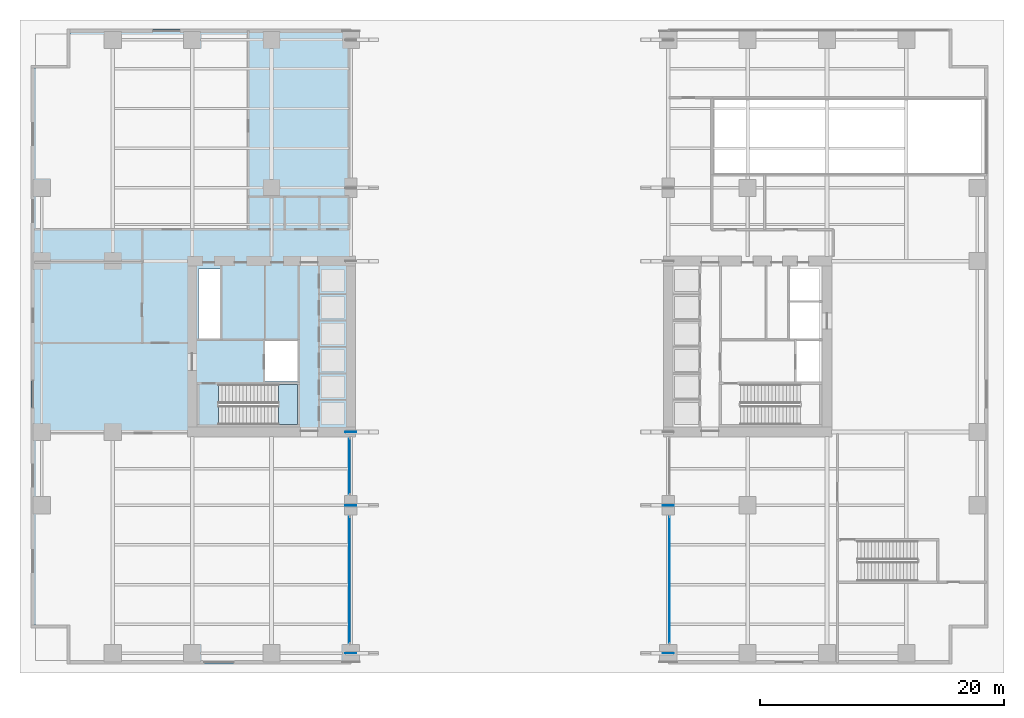
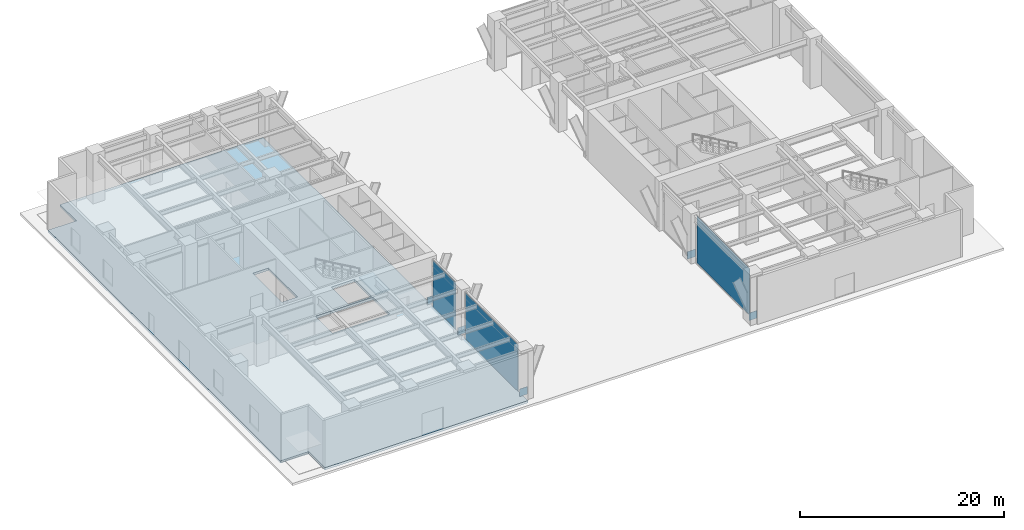
# One storey, part 9 of 20: 8 plates, 2 slabs, 4 elements without a shape of their own.
"""IFC4 building model written with IfcOpenShell, lengths in metres."""

from ifc_helpers import new_model, si_unit, direction, frame, origin, origin_2d, place, context, subcontext, project, spatial, polyline, rectangle, outline, extrude, material, layer, layer_set, type_object, element, aggregate, save


model = new_model("IFC4")

# Units and contexts
model_context = context("Model", 3, precision=1e-05, world=origin(), true_north=direction((0.0, 1.0)))
body_context = subcontext(model_context, "Body", "Model", "MODEL_VIEW")
ifc_project = project(units=[si_unit("LENGTHUNIT", "METRE"), si_unit("AREAUNIT", "SQUARE_METRE"), si_unit("VOLUMEUNIT", "CUBIC_METRE"), si_unit("PLANEANGLEUNIT", "RADIAN"), si_unit("MASSUNIT", "GRAM", prefix="KILO")], contexts=[model_context])

# Site, building, storey
site_placement = place(None, origin())
site = spatial("IfcSite", under=ifc_project, at=site_placement, CompositionType="ELEMENT")
building_placement = place(site_placement, origin())
building = spatial("IfcBuilding", under=site, at=building_placement, Name="Putna Gate Headquarters", CompositionType="ELEMENT")
storey_placement = place(building_placement, origin())
storey = spatial("IfcBuildingStorey", under=building, at=storey_placement, Name="L00", CompositionType="ELEMENT", Elevation=0.0)

# Stair, slab
ifc_material_1 = material(Name="Concrete C40/50", Category="concrete")
stair_type = type_object("IfcStairType", Name="STAIR-ST1", PredefinedType="HALF_TURN_STAIR", material=ifc_material_1)
stair_placement = place(storey_placement, origin())
stair = element("IfcStair", 1, at=stair_placement, inside=storey, type_object=stair_type, Name="L00 West Core Exit Stair ST1", PredefinedType="HALF_TURN_STAIR")
ifc_layer_1 = layer(ifc_material_1, 0.199951171875)
ifc_layer_set_1 = layer_set([ifc_layer_1], Name="Concrete C40/50")
slab_type_1 = type_object("IfcSlabType", Name="LANDING-ST1", PredefinedType="LANDING", material=ifc_layer_set_1)
slab_1_placement = place(storey_placement, frame((0.0, 0.0, 2.800048828125)))
slab_1 = element("IfcSlab", 2, at=slab_1_placement, type_object=slab_type_1, Name="ST1 landing 1", PredefinedType="LANDING", context=body_context, shape_type="SweptSolid", body=[
    extrude(outline(polyline([(20.080078125, 19.60009765625), (21.64990234375, 19.60009765625), (21.64990234375, 22.89990234375), (20.080078125, 22.89990234375), (20.080078125, 19.60009765625)])), origin(), (0.0, 0.0, 1.0), 0.199951171875),
])
aggregate(stair, [slab_1])

# Curtain wall, plate
ifc_material_2 = material(Name="Anodised bronze aluminium curtain wall", Category="aluminium")
ifc_layer_2 = layer(ifc_material_2, 0.179931640625)
ifc_layer_set_2 = layer_set([ifc_layer_2], Name="Anodised bronze aluminium curtain wall")
curtain_wall_type = type_object("IfcCurtainWallType", Name="CW-SYS-ATR", PredefinedType="USERDEFINED", material=ifc_layer_set_2)
curtain_wall_1_placement = place(storey_placement, origin())
curtain_wall_1 = element("IfcCurtainWall", 3, at=curtain_wall_1_placement, inside=storey, type_object=curtain_wall_type, Name="L00 Giant Arch West Lobby Glazing S", ObjectType="ATRIUM GLAZING", PredefinedType="USERDEFINED")
ifc_material_3 = material(Name="Clear low-iron triple glazing", Category="glass")
ifc_layer_3 = layer(ifc_material_3, 0.0400390625)
ifc_layer_set_3 = layer_set([ifc_layer_3], Name="Clear low-iron triple glazing")
plate_type_1 = type_object("IfcPlateType", Name="PAN-CWP-AT", PredefinedType="CURTAIN_PANEL", material=ifc_layer_set_3)
plate_1_placement = place(storey_placement, frame((25.89990234375, 6.885009765625, 0.070068359375), z_axis=(0.0, 0.0, 1.0), x_axis=(0.0, 1.0, 0.0)))
plate_1 = element("IfcPlate", 4, at=plate_1_placement, type_object=plate_type_1, Name="CWS-AT panel 1.1", PredefinedType="CURTAIN_PANEL", context=body_context, shape_type="SweptSolid", body=[
    extrude(rectangle(XDim=10.330078125, YDim=0.0400390625, at=origin_2d()), origin(), (0.0, 0.0, 1.0), 5.580078125),
])
aggregate(curtain_wall_1, [plate_1])

curtain_wall_2_placement = place(storey_placement, origin())
curtain_wall_2 = element("IfcCurtainWall", 5, at=curtain_wall_2_placement, inside=storey, type_object=curtain_wall_type, Name="L00 Giant Arch West Lobby Glazing N", ObjectType="ATRIUM GLAZING", PredefinedType="USERDEFINED")
plate_2_placement = place(storey_placement, frame((25.89990234375, 16.199951171875, 0.070068359375), z_axis=(0.0, 0.0, 1.0), x_axis=(0.0, 1.0, 0.0)))
plate_2 = element("IfcPlate", 6, at=plate_2_placement, type_object=plate_type_1, Name="CWS-AT panel 1.1", PredefinedType="CURTAIN_PANEL", context=body_context, shape_type="SweptSolid", body=[
    extrude(rectangle(XDim=4.5, YDim=0.0400390625, at=origin_2d()), origin(), (0.0, 0.0, 1.0), 5.580078125),
])
aggregate(curtain_wall_2, [plate_2])

curtain_wall_3_placement = place(storey_placement, origin())
curtain_wall_3 = element("IfcCurtainWall", 7, at=curtain_wall_3_placement, inside=storey, type_object=curtain_wall_type, Name="L00 Giant Arch East Lobby Glazing S", ObjectType="ATRIUM GLAZING", PredefinedType="USERDEFINED")
plate_3_placement = place(storey_placement, frame((52.10009765625, 6.885009765625, 0.070068359375), z_axis=(0.0, 0.0, 1.0), x_axis=(0.0, 1.0, 0.0)))
plate_3 = element("IfcPlate", 8, at=plate_3_placement, type_object=plate_type_1, Name="CWS-AT panel 1.1", PredefinedType="CURTAIN_PANEL", context=body_context, shape_type="SweptSolid", body=[
    extrude(rectangle(XDim=10.330078125, YDim=0.0400390625, at=origin_2d()), origin(), (0.0, 0.0, 1.0), 5.580078125),
])
aggregate(curtain_wall_3, [plate_3])

# Plates
ifc_material_4 = material(Name="Steel S460M", Category="steel")
ifc_layer_4 = layer(ifc_material_4, 0.0400390625)
ifc_layer_set_4 = layer_set([ifc_layer_4], Name="Steel S460M")
plate_type_2 = type_object("IfcPlateType", Name="PLT-NODE-AN1", PredefinedType="SHEET", material=ifc_layer_set_4)
for number, where, z_axis, x_axis, name in (
    (9, (26.0, 0.8798828125, 0.10009765625), (0.0, 0.0, 1.0), (1.0, 0.0, 0.0), "Giant Arch Springing Node Plate AN1 S-W"),
    (10, (52.0, 0.8798828125, 0.10009765625), (0.0, 0.0, 1.0), (1.0, 0.0, 0.0), "Giant Arch Springing Node Plate AN1 S-E"),
):
    element("IfcPlate", number, at=place(storey_placement, frame(where, z_axis=z_axis, x_axis=x_axis)), inside=storey, type_object=plate_type_2, Name=name, PredefinedType="SHEET", context=body_context, shape_type="SweptSolid", body=[
        extrude(rectangle(XDim=0.89990234375, YDim=0.0400390625, at=origin_2d()), origin(), (0.0, 0.0, 1.0), 0.89990234375),
    ])
ifc_layer_5 = layer(ifc_material_4, 0.0400390625)
ifc_layer_set_5 = layer_set([ifc_layer_5], Name="Steel S460M")
plate_type_3 = type_object("IfcPlateType", Name="PLT-NODE-AN1-INT", PredefinedType="SHEET", material=ifc_layer_set_5)
for number, where, z_axis, x_axis, name in (
    (11, (26.0, 13.0, 0.10009765625), (0.0, 0.0, 1.0), (1.0, 0.0, 0.0), "Giant Arch Springing Node Plate AN1 CS-W"),
    (12, (52.0, 13.0, 0.10009765625), (0.0, 0.0, 1.0), (1.0, 0.0, 0.0), "Giant Arch Springing Node Plate AN1 CS-E"),
    (13, (26.0, 19.0, 0.10009765625), (0.0, 0.0, 1.0), (1.0, 0.0, 0.0), "Giant Arch Springing Node Plate AN1 AS-W"),
):
    element("IfcPlate", number, at=place(storey_placement, frame(where, z_axis=z_axis, x_axis=x_axis)), inside=storey, type_object=plate_type_3, Name=name, PredefinedType="SHEET", context=body_context, shape_type="SweptSolid", body=[
        extrude(rectangle(XDim=0.89990234375, YDim=0.0400390625, at=origin_2d()), origin(), (0.0, 0.0, 1.0), 0.89990234375),
    ])

# Slab
ifc_layer_6 = layer(ifc_material_1, 0.280029296875)
ifc_layer_set_6 = layer_set([ifc_layer_6], Name="Concrete C40/50")
slab_type_2 = type_object("IfcSlabType", Name="SLAB-POD-280", PredefinedType="FLOOR", material=ifc_layer_set_6)
slab_2_placement = place(storey_placement, frame((0.0, 0.0, -0.280029296875)))
element("IfcSlab", 14, at=slab_2_placement, inside=storey, type_object=slab_type_2, Name="L00 West Podium Wing Floor Slab", PredefinedType="FLOOR", context=body_context, shape_type="SweptSolid", body=[
    extrude(outline(polyline([(3.0, 0.0), (26.0, 0.0), (26.0, 52.0), (3.0, 52.0), (3.0, 48.800048828125), (-0.199951171875, 48.800048828125), (-0.199951171875, 3.199951171875), (3.0, 3.199951171875), (3.0, 0.0)]), holes=[polyline([(15.1650390625, 19.60009765625), (21.64990234375, 19.60009765625), (21.64990234375, 22.89990234375), (15.1650390625, 22.89990234375), (15.1650390625, 19.60009765625)]), polyline([(13.52001953125, 26.659912109375), (15.280029296875, 26.659912109375), (15.280029296875, 32.35009765625), (13.52001953125, 32.35009765625), (13.52001953125, 26.659912109375)]), polyline([(18.97998046875, 23.1201171875), (21.6201171875, 23.1201171875), (21.6201171875, 26.4599609375), (18.97998046875, 26.4599609375), (18.97998046875, 23.1201171875)])]), origin(), (0.0, 0.0, 1.0), 0.280029296875),
])

save(model, "model.ifc")
